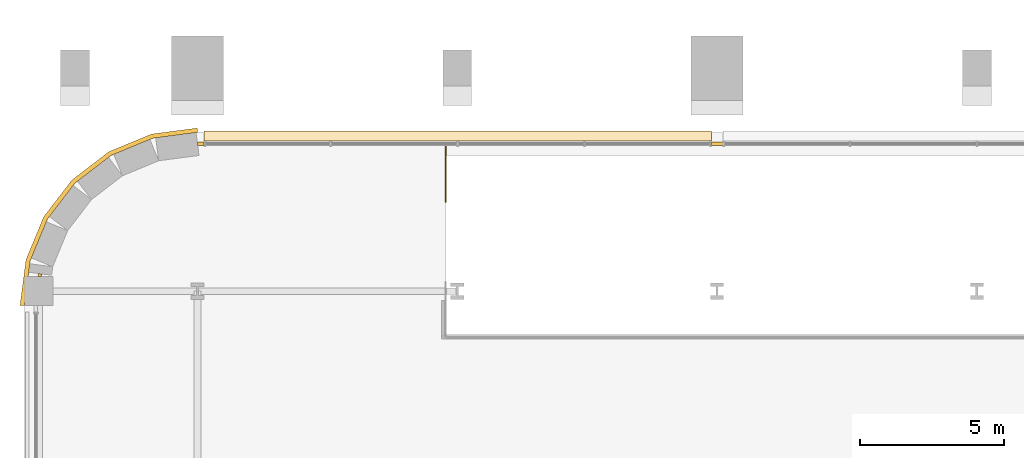
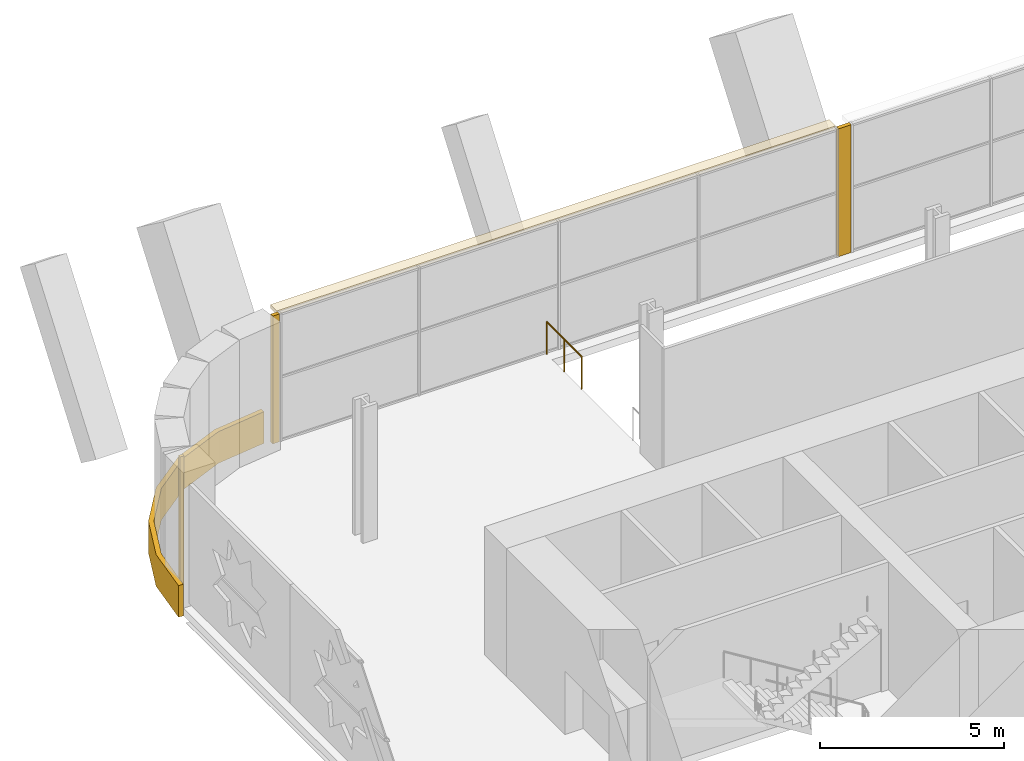
# One storey, part 19 of 21: 5 coverings, 1 railing.
"""IFC4 building model written with IfcOpenShell, lengths in metres."""

from ifc_helpers import new_model, si_unit, direction, frame, origin, origin_2d, place, context, subcontext, project, spatial, polyline, rectangle, circle, outline, extrude, material, layer, layer_set, type_object, element, save


model = new_model("IFC4")

# Units and contexts
model_context = context("Model", 3, precision=1e-05, world=origin(), true_north=direction((0.0, 1.0)))
body_context = subcontext(model_context, "Body", "Model", "MODEL_VIEW")
ifc_project = project(units=[si_unit("LENGTHUNIT", "METRE"), si_unit("AREAUNIT", "SQUARE_METRE"), si_unit("VOLUMEUNIT", "CUBIC_METRE"), si_unit("PLANEANGLEUNIT", "RADIAN"), si_unit("MASSUNIT", "GRAM", prefix="KILO")], contexts=[model_context])

# Site, building, storey
site_placement = place(None, origin())
site = spatial("IfcSite", under=ifc_project, at=site_placement, CompositionType="ELEMENT")
building_placement = place(site_placement, origin())
building = spatial("IfcBuilding", under=site, at=building_placement, Name="Zellij Exchange Tower", CompositionType="ELEMENT")
storey_placement = place(building_placement, frame((0.0, 0.0, 43.5)))
storey = spatial("IfcBuildingStorey", under=building, at=storey_placement, Name="L07", CompositionType="ELEMENT", Elevation=43.5)

# Coverings
ifc_material_1 = material(Name="Limestone cladding", Category="masonry")
ifc_layer_1 = layer(ifc_material_1, 0.14990234375)
ifc_layer_set_1 = layer_set([ifc_layer_1], Name="Limestone cladding")
covering_type_1 = type_object("IfcCoveringType", Name="ENV-CV1 Stone spandrel band 150", PredefinedType="CLADDING", material=ifc_layer_set_1)
covering_1_placement = place(storey_placement, frame((0.0, 0.0, -0.25)))
element("IfcCovering", 1, at=covering_1_placement, inside=storey, type_object=covering_type_1, Name="Stone spandrel band", PredefinedType="CLADDING", context=body_context, shape_type="SweptSolid", body=[
    extrude(outline(polyline([(-27.0, 10.0), (-28.552978515625, 9.795654296875), (-30.0, 9.1962890625), (-31.24267578125, 8.24267578125), (-32.1962890625, 7.0), (-32.795654296875, 5.552978515625), (-33.0, 4.0), (-33.14990234375, 4.009765625), (-32.941650390625, 5.592041015625), (-32.3271484375, 7.07568359375), (-31.349609375, 8.349609375), (-30.07568359375, 9.3271484375), (-28.592041015625, 9.941650390625), (-27.009765625, 10.14990234375), (-27.0, 10.0)])), origin(), (0.0, 0.0, 1.0), 1.050048828125),
])
ifc_layer_2 = layer(ifc_material_1, 0.1201171875)
ifc_layer_set_2 = layer_set([ifc_layer_2], Name="Limestone cladding")
covering_type_2 = type_object("IfcCoveringType", Name="ENV-CV18 Glazing closer 120", PredefinedType="CLADDING", material=ifc_layer_set_2)
covering_2_placement = place(storey_placement, frame((-9.0, 9.60009765625, 0.0), z_axis=(0.0, 0.0, 1.0), x_axis=(-1.0, 0.0, 0.0)))
element("IfcCovering", 2, at=covering_2_placement, inside=storey, type_object=covering_type_2, Name="Glazing closer", PredefinedType="CLADDING", context=body_context, shape_type="SweptSolid", body=[
    extrude(rectangle(XDim=0.39990234375, YDim=0.1201171875, at=origin_2d()), origin(), (0.0, 0.0, 1.0), 4.25),
])
covering_3_placement = place(storey_placement, frame((-26.883056640625, 9.60009765625, 0.0), z_axis=(0.0, 0.0, 1.0), x_axis=(-1.0, 0.0, 0.0)))
element("IfcCovering", 3, at=covering_3_placement, inside=storey, type_object=covering_type_2, Name="Glazing closer", PredefinedType="CLADDING", context=body_context, shape_type="SweptSolid", body=[
    extrude(rectangle(XDim=0.218505859375, YDim=0.1201171875, at=origin_2d()), origin(), (0.0, 0.0, 1.0), 4.25),
])
covering_4_placement = place(storey_placement, frame((-32.457763671875, 5.0546875, 0.0), z_axis=(0.0, 0.0, 1.0), x_axis=(-0.130498505806, -0.991448505966, 0.0)))
element("IfcCovering", 4, at=covering_4_placement, inside=storey, type_object=covering_type_2, Name="Glazing closer", PredefinedType="CLADDING", context=body_context, shape_type="SweptSolid", body=[
    extrude(rectangle(XDim=0.0947265625, YDim=0.1201171875, at=origin_2d()), origin(), (0.0, 0.0, 1.0), 4.25),
])
ifc_material_2 = material(Name="Limestone sunshade", Category="masonry")
ifc_layer_3 = layer(ifc_material_2, 0.1201171875)
ifc_layer_set_3 = layer_set([ifc_layer_3], Name="Limestone sunshade")
covering_type_3 = type_object("IfcCoveringType", Name="ENV-SC2 Stone sunshade 120", PredefinedType="USERDEFINED", material=ifc_layer_set_3)
covering_5_placement = place(storey_placement, frame((0.0, 0.0, 4.1298828125)))
element("IfcCovering", 5, at=covering_5_placement, inside=storey, type_object=covering_type_3, Name="Stone sunshade", ObjectType="SUNSHADE", PredefinedType="USERDEFINED", context=body_context, shape_type="SweptSolid", body=[
    extrude(outline(polyline([(-9.199951171875, 9.699951171875), (-26.773681640625, 9.699951171875), (-26.773681640625, 10.050048828125), (-9.199951171875, 10.050048828125), (-9.199951171875, 9.699951171875)])), origin(), (0.0, 0.0, 1.0), 0.1201171875),
])

# Railing
ifc_material_3 = material(Name="Steel and glass guard", Category="steel")
railing_type = type_object("IfcRailingType", Name="FIT-GUARD-1100", PredefinedType="GUARDRAIL", material=ifc_material_3)
railing_placement = place(storey_placement, frame((-18.39990234375, 9.5, 0.0)))
element("IfcRailing", 6, at=railing_placement, inside=storey, type_object=railing_type, Name="Atrium guard 001", PredefinedType="GUARDRAIL", context=body_context, shape_type="SweptSolid", body=[
    extrude(circle(Radius=0.02490234375, at=origin_2d()), frame((0.0, 0.0, 1.0751953125), z_axis=(0.0, -1.0, 0.0), x_axis=(1.0, 0.0, 0.0)), (0.0, 0.0, 1.0), 1.89990234375),
    extrude(circle(Radius=0.02001953125, at=origin_2d()), origin(), (0.0, 0.0, 1.0), 1.050048828125),
    extrude(circle(Radius=0.02001953125, at=origin_2d()), frame((0.0, -0.949951171875, 0.0)), (0.0, 0.0, 1.0), 1.050048828125),
    extrude(circle(Radius=0.02001953125, at=origin_2d()), frame((0.0, -1.89990234375, 0.0)), (0.0, 0.0, 1.0), 1.050048828125),
])

save(model, "model.ifc")
